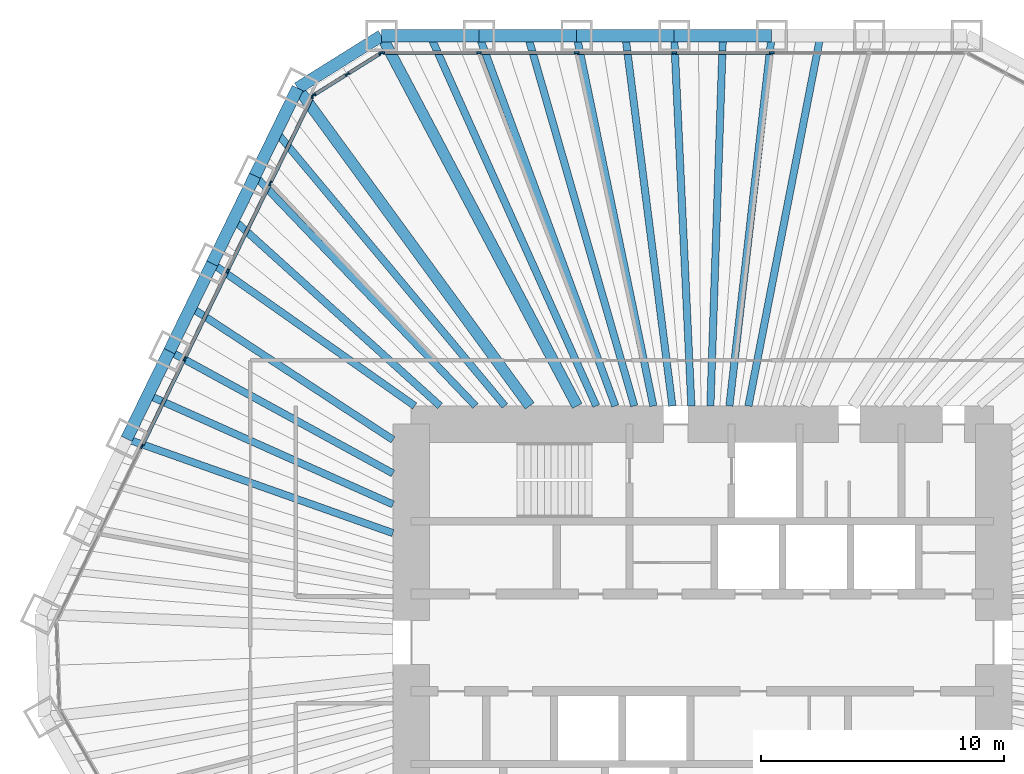
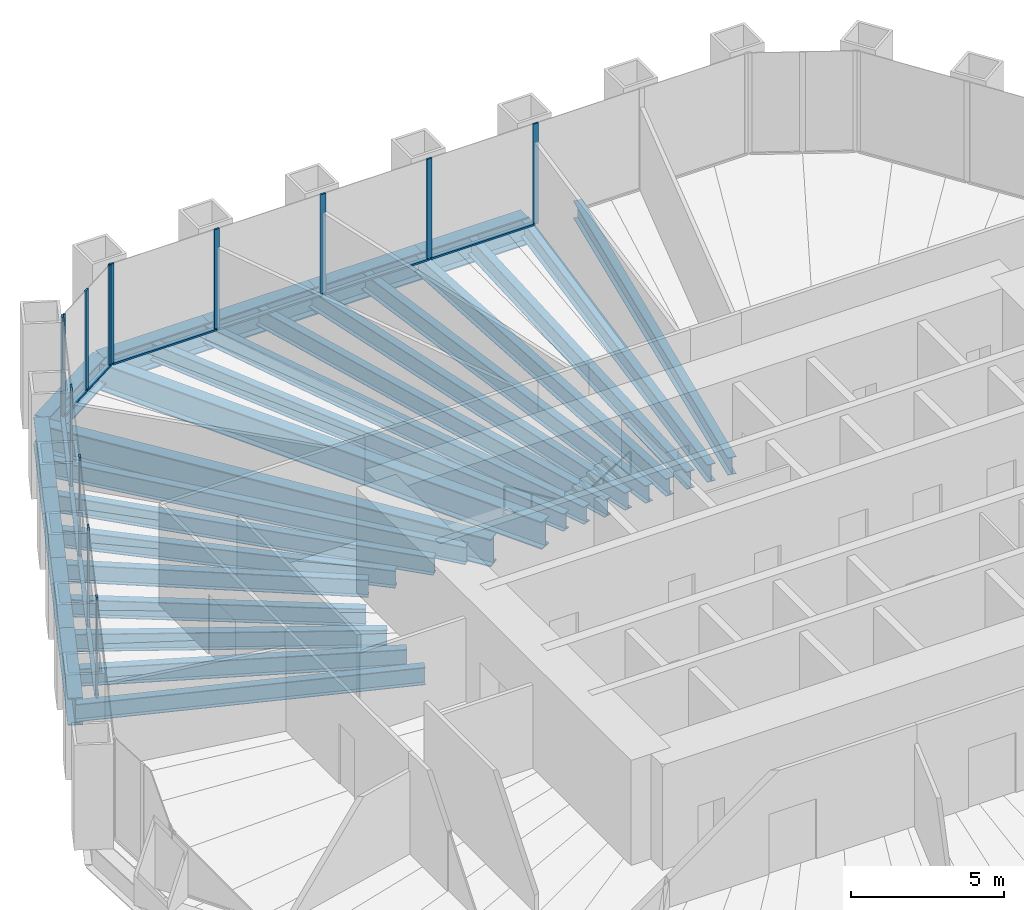
# One storey, part 6 of 13: 28 beams, 23 members, 3 elements without a shape of their own.
"""IFC4 building model written with IfcOpenShell, lengths in metres."""

import ifcopenshell
import ifcopenshell.guid

model = None  # the IFC model being written
_history = None  # IfcOwnerHistory: only IFC2X3 demands one
_inside = {}  # id of a spatial element -> (the spatial element, [elements in it])
_under = {}  # id of a project, library or spatial element -> (it, [spatial elements below it])
_declared = {}  # id of a project -> (the project, [libraries it declares])
_typed = {}  # id of a type object -> (the type object, [elements of that type])
_made_of = {}  # id of a material, layer set ... -> (it, [elements and type objects made of it])


def new_model(schema):
    """Start an empty IFC model of exactly this schema.

    Asked for "IFC4X3", IfcOpenShell would pick the latest addendum, in which some entities
    have other attributes; the version numbers below select the first issue.
    IFC2X3 requires an IfcOwnerHistory on every rooted entity: one is made here for all.
    """
    global model, _history
    if schema == "IFC4X3":
        model = ifcopenshell.file(schema_version=(4, 3, 0, 0))
    else:
        model = ifcopenshell.file(schema=schema)
    _inside.clear()
    _under.clear()
    _declared.clear()
    _typed.clear()
    _made_of.clear()
    _history = None
    if model.schema == "IFC2X3":
        org = make("IfcOrganization", Name="unknown")
        user = make(
            "IfcPersonAndOrganization",
            ThePerson=make("IfcPerson", FamilyName="unknown"),
            TheOrganization=org,
        )
        app = make(
            "IfcApplication",
            ApplicationDeveloper=org,
            Version="unknown",
            ApplicationFullName="unknown",
            ApplicationIdentifier="unknown",
        )
        _history = make(
            "IfcOwnerHistory",
            OwningUser=user,
            OwningApplication=app,
            ChangeAction="ADDED",
            CreationDate=0,
        )
    return model


def make(cls, **values):
    """One entity of the class cls with the attributes given. An attribute that is None is left unset."""
    return model.create_entity(
        cls, **{name: value for name, value in values.items() if value is not None}
    )


def rooted(cls, **values):
    """An entity with a GlobalId (a new one), such as an element, a storey or a relation."""
    return make(cls, GlobalId=ifcopenshell.guid.new(), OwnerHistory=_history, **values)


def si_unit(unit_type, name, prefix=None):
    """IfcSIUnit, for example si_unit("LENGTHUNIT", "METRE", prefix="MILLI")."""
    return make("IfcSIUnit", UnitType=unit_type, Prefix=prefix, Name=name)


def assignment(units):
    """IfcUnitAssignment: the units of a project."""
    return None if units is None else make("IfcUnitAssignment", Units=units)


def point(xyz):
    """IfcCartesianPoint."""
    return None if xyz is None else make("IfcCartesianPoint", Coordinates=xyz)


def direction(xyz):
    """IfcDirection."""
    return None if xyz is None else make("IfcDirection", DirectionRatios=xyz)


def frame(location, z_axis=None, x_axis=None):
    """IfcAxis2Placement3D, a coordinate frame: its origin and axes. An axis left out is left unset."""
    return make(
        "IfcAxis2Placement3D",
        Location=point(location),
        Axis=direction(z_axis),
        RefDirection=direction(x_axis),
    )


def frame_2d(location, x_axis=None):
    """IfcAxis2Placement2D, a coordinate frame in the plane: its origin and x axis."""
    return make(
        "IfcAxis2Placement2D", Location=point(location), RefDirection=direction(x_axis)
    )


def origin():
    """The frame at (0, 0, 0) with its axes left unset."""
    return frame((0.0, 0.0, 0.0))


def origin_2d():
    """The frame at (0, 0) in the plane with its x axis left unset."""
    return frame_2d((0.0, 0.0))


def place(relative_to, where):
    """IfcLocalPlacement: puts the frame where relative to a parent placement (None: the world)."""
    return make(
        "IfcLocalPlacement", PlacementRelTo=relative_to, RelativePlacement=where
    )


def context(
    kind, dimensions, precision=None, world=None, true_north=None, identifier=None
):
    """IfcGeometricRepresentationContext, for example the 3D "Model" context."""
    return make(
        "IfcGeometricRepresentationContext",
        ContextIdentifier=identifier,
        ContextType=kind,
        CoordinateSpaceDimension=dimensions,
        Precision=precision,
        WorldCoordinateSystem=world,
        TrueNorth=true_north,
    )


def subcontext(parent, identifier, kind, view, scale=None):
    """IfcGeometricRepresentationSubContext, for example "Body" below "Model"."""
    return make(
        "IfcGeometricRepresentationSubContext",
        ContextIdentifier=identifier,
        ContextType=kind,
        ParentContext=parent,
        TargetScale=scale,
        TargetView=view,
    )


def project(units=None, contexts=None):
    """IfcProject with its units and contexts."""
    return rooted(
        "IfcProject",
        Name="project",
        RepresentationContexts=contexts,
        UnitsInContext=assignment(units),
    )


def spatial(cls, under=None, at=None, **own):
    """A site, building, storey or space (cls), placed at a placement, below another one or the project."""
    s = rooted(cls, ObjectPlacement=at, **own)
    if under is not None:
        _under.setdefault(under.id(), (under, []))[1].append(s)
    return s


def profile(cls, at=None, kind="AREA", **sizes):
    """A parametric profile (cls). Its sizes go by their IFC names, for example OverallWidth=200.0."""
    return make(cls, ProfileType=kind, Position=at, **sizes)


def rectangle(**sizes):
    """IfcRectangleProfileDef."""
    return profile("IfcRectangleProfileDef", **sizes)


def i_section(**sizes):
    """IfcIShapeProfileDef."""
    return profile("IfcIShapeProfileDef", **sizes)


def extrude(swept, where, along, depth):
    """IfcExtrudedAreaSolid: the profile swept, set in the frame where, extruded along a direction by depth."""
    return make(
        "IfcExtrudedAreaSolid",
        SweptArea=swept,
        Position=where,
        ExtrudedDirection=direction(along),
        Depth=depth,
    )


def shape(context_of_items, identifier, shape_type, items):
    """IfcShapeRepresentation: the items that make up one representation, for example the "Body"."""
    return make(
        "IfcShapeRepresentation",
        ContextOfItems=context_of_items,
        RepresentationIdentifier=identifier,
        RepresentationType=shape_type,
        Items=items,
    )


def material(Name=None, Category=None):
    """IfcMaterial."""
    return make("IfcMaterial", Name=Name, Category=Category)


def material_profile(
    of_material, cross_section, Name=None, Category=None, Priority=None
):
    """IfcMaterialProfile: a cross section and its material."""
    return make(
        "IfcMaterialProfile",
        Name=Name,
        Material=of_material,
        Profile=cross_section,
        Priority=Priority,
        Category=Category,
    )


def profile_set(profiles, Name=None, composite=None):
    """IfcMaterialProfileSet."""
    return make(
        "IfcMaterialProfileSet",
        Name=Name,
        MaterialProfiles=profiles,
        CompositeProfile=composite,
    )


def made_of(thing, what):
    """Note that an element or type object is made of a material, layer set ...; save() writes the relation."""
    if what is not None:
        _made_of.setdefault(what.id(), (what, []))[1].append(thing)
    return thing


def type_object(cls, material=None, **own):
    """A type object (cls), such as IfcWallType, which elements share."""
    return made_of(rooted(cls, **own), material)


def element(
    cls,
    number,
    at=None,
    inside=None,
    cuts=None,
    type_object=None,
    material=None,
    context=None,
    identifier="Body",
    shape_type=None,
    held_by="IfcProductDefinitionShape",
    body=None,
    shapes=None,
    **own,
):
    """One element of the class cls, such as IfcWall. Its Tag is "e" and its number.

    at: its placement. inside: the storey or other place that contains it. cuts: it is an
    opening in that element (IfcRelVoidsElement). A single representation is given by context,
    identifier, shape_type and body (its items); several are given by shapes. held_by: the class
    of the entity that holds the representations. save() writes the other relations.
    """
    e = rooted(cls, Tag="e%d" % number, ObjectPlacement=at, **own)
    if body is not None:
        shapes = [shape(context, identifier, shape_type, body)]
    if shapes is not None:
        e.Representation = make(held_by, Representations=shapes)
    if inside is not None:
        _inside.setdefault(inside.id(), (inside, []))[1].append(e)
    if cuts is not None:
        rooted(
            "IfcRelVoidsElement", RelatingBuildingElement=cuts, RelatedOpeningElement=e
        )
    if type_object is not None:
        _typed.setdefault(type_object.id(), (type_object, []))[1].append(e)
    return made_of(e, material)


def aggregate(whole, parts):
    """IfcRelAggregates: a whole, such as a stair, and the parts it consists of."""
    return rooted("IfcRelAggregates", RelatingObject=whole, RelatedObjects=parts)


def save(model, path):
    """Write the relations noted so far, then the file.

    IfcRelAggregates (storeys below a building ...), IfcRelContainedInSpatialStructure (elements
    in a storey), IfcRelDefinesByType, IfcRelAssociatesMaterial and IfcRelDeclares: one each for
    every whole, place, type object, material and project.
    """
    for whole, parts in _under.values():
        aggregate(whole, parts)
    for where, things in _inside.values():
        rooted(
            "IfcRelContainedInSpatialStructure",
            RelatedElements=things,
            RelatingStructure=where,
        )
    for kind, things in _typed.values():
        rooted("IfcRelDefinesByType", RelatedObjects=things, RelatingType=kind)
    for what, things in _made_of.values():
        rooted("IfcRelAssociatesMaterial", RelatedObjects=things, RelatingMaterial=what)
    for by, libraries in _declared.values():
        rooted("IfcRelDeclares", RelatingContext=by, RelatedDefinitions=libraries)
    model.write(path)


model = new_model("IFC4")

# Units and contexts
model_context = context("Model", 3, precision=1e-05, world=origin(), true_north=direction((0.0, 1.0)))
body_context = subcontext(model_context, "Body", "Model", "MODEL_VIEW")
ifc_project = project(units=[si_unit("LENGTHUNIT", "METRE"), si_unit("AREAUNIT", "SQUARE_METRE"), si_unit("VOLUMEUNIT", "CUBIC_METRE"), si_unit("PLANEANGLEUNIT", "RADIAN"), si_unit("MASSUNIT", "GRAM", prefix="KILO")], contexts=[model_context])

# Site, building, storey
site_placement = place(None, origin())
site = spatial("IfcSite", under=ifc_project, at=site_placement, CompositionType="ELEMENT")
building_placement = place(site_placement, origin())
building = spatial("IfcBuilding", under=site, at=building_placement, Name="Qingtian Harvest Tower", CompositionType="ELEMENT")
storey_placement = place(building_placement, frame((0.0, 0.0, 132.39990234375)))
storey = spatial("IfcBuildingStorey", under=building, at=storey_placement, Name="L27", CompositionType="ELEMENT", Elevation=132.39990234375)

# Beams
ifc_material_1 = material(Name="Steel SM570MC", Category="steel")
ifc_material_profile_1 = material_profile(ifc_material_1, i_section(OverallWidth=0.449951171875, OverallDepth=1.10009765625, WebThickness=0.02197265625, FlangeThickness=0.044921875, at=origin_2d()), Name="H1100x450x22x45")
ifc_profile_set_1 = profile_set([ifc_material_profile_1], Name="Steel SM570MC")
beam_type_1 = type_object("IfcBeamType", Name="Corner floor beam FB8 H1100x450x22x45", PredefinedType="BEAM", material=ifc_profile_set_1)
beam_1_placement = place(storey_placement, frame((-13.2216796875, 25.0, -0.719970703125), z_axis=(0.46750989692, -0.88398783718, 0.0), x_axis=(0.88398783718, 0.46750989692, 0.0)))
element("IfcBeam", 1, at=beam_1_placement, inside=storey, type_object=beam_type_1, Name="Floor beam FB8 N0", PredefinedType="BEAM", context=body_context, shape_type="SweptSolid", body=[
    extrude(i_section(OverallWidth=0.449951171875, OverallDepth=1.10009765625, WebThickness=0.02197265625, FlangeThickness=0.044921875, at=origin_2d()), origin(), (0.0, 0.0, 1.0), 17.25146484375),
])
beam_2_placement = place(storey_placement, frame((-16.673828125, 22.8427734375, -0.719970703125), z_axis=(0.589577703364, -0.807711663712, 0.0), x_axis=(0.807711663712, 0.589577703364, 0.0)))
element("IfcBeam", 2, at=beam_2_placement, inside=storey, type_object=beam_type_1, Name="Floor beam FB8 NW6", PredefinedType="BEAM", context=body_context, shape_type="SweptSolid", body=[
    extrude(i_section(OverallWidth=0.449951171875, OverallDepth=1.10009765625, WebThickness=0.02197265625, FlangeThickness=0.044921875, at=origin_2d()), origin(), (0.0, 0.0, 1.0), 16.209716796875),
])
ifc_material_2 = material(Name="Steel SN490B", Category="steel")
ifc_material_profile_2 = material_profile(ifc_material_2, i_section(OverallWidth=0.300048828125, OverallDepth=0.699951171875, WebThickness=0.012939453125, FlangeThickness=0.02392578125, at=origin_2d()), Name="H700x300x13x24")
ifc_profile_set_2 = profile_set([ifc_material_profile_2], Name="Steel SN490B")
beam_type_2 = type_object("IfcBeamType", Name="Floor beam FB2 H700x300x13x24", PredefinedType="BEAM", material=ifc_profile_set_2)
beam_3_placement = place(storey_placement, frame((-9.20263671875, 25.0, -0.52001953125), z_axis=(0.345440084985, -0.938440806703, 0.0), x_axis=(0.938440806703, 0.345440084985, 0.0)))
element("IfcBeam", 3, at=beam_3_placement, inside=storey, type_object=beam_type_2, Name="Floor beam FB2 N1", PredefinedType="BEAM", context=body_context, shape_type="SweptSolid", body=[
    extrude(i_section(OverallWidth=0.300048828125, OverallDepth=0.699951171875, WebThickness=0.012939453125, FlangeThickness=0.02392578125, at=origin_2d()), origin(), (0.0, 0.0, 1.0), 16.250244140625),
])
beam_4_placement = place(storey_placement, frame((-5.18359375, 25.0, -0.52001953125), z_axis=(0.203032709566, -0.979171955709, 0.0), x_axis=(0.979171955709, 0.203032709566, 0.0)))
element("IfcBeam", 4, at=beam_4_placement, inside=storey, type_object=beam_type_2, Name="Floor beam FB2 N2", PredefinedType="BEAM", context=body_context, shape_type="SweptSolid", body=[
    extrude(i_section(OverallWidth=0.300048828125, OverallDepth=0.699951171875, WebThickness=0.012939453125, FlangeThickness=0.02392578125, at=origin_2d()), origin(), (0.0, 0.0, 1.0), 15.574462890625),
])
beam_5_placement = place(storey_placement, frame((-1.16455078125, 25.0, -0.52001953125), z_axis=(0.046536361684, -0.998916596639, 0.0), x_axis=(0.998916596639, 0.046536361684, 0.0)))
element("IfcBeam", 5, at=beam_5_placement, inside=storey, type_object=beam_type_2, Name="Floor beam FB2 N3", PredefinedType="BEAM", context=body_context, shape_type="SweptSolid", body=[
    extrude(i_section(OverallWidth=0.300048828125, OverallDepth=0.699951171875, WebThickness=0.012939453125, FlangeThickness=0.02392578125, at=origin_2d()), origin(), (0.0, 0.0, 1.0), 15.2666015625),
])
beam_6_placement = place(storey_placement, frame((2.8544921875, 25.0, -0.52001953125), z_axis=(-0.113440722222, -0.993544766249, 0.0), x_axis=(0.993544766249, -0.113440722222, 0.0)))
element("IfcBeam", 6, at=beam_6_placement, inside=storey, type_object=beam_type_2, Name="Floor beam FB2 N4", PredefinedType="BEAM", context=body_context, shape_type="SweptSolid", body=[
    extrude(i_section(OverallWidth=0.300048828125, OverallDepth=0.699951171875, WebThickness=0.012939453125, FlangeThickness=0.02392578125, at=origin_2d()), origin(), (0.0, 0.0, 1.0), 15.34912109375),
])
beam_7_placement = place(storey_placement, frame((-23.72119140625, 8.3935546875, -0.52001953125), z_axis=(0.942723186419, -0.333576068967, 0.0), x_axis=(0.333576068967, 0.942723186419, 0.0)))
element("IfcBeam", 7, at=beam_7_placement, inside=storey, type_object=beam_type_2, Name="Floor beam FB2 NW2", PredefinedType="BEAM", context=body_context, shape_type="SweptSolid", body=[
    extrude(i_section(OverallWidth=0.300048828125, OverallDepth=0.699951171875, WebThickness=0.012939453125, FlangeThickness=0.02392578125, at=origin_2d()), origin(), (0.0, 0.0, 1.0), 11.6376953125),
])
beam_8_placement = place(storey_placement, frame((-21.95947265625, 12.005859375, -0.52001953125), z_axis=(0.877432026785, -0.479700988505, 0.0), x_axis=(0.479700988505, 0.877432026785, 0.0)))
element("IfcBeam", 8, at=beam_8_placement, inside=storey, type_object=beam_type_2, Name="Floor beam FB2 NW3", PredefinedType="BEAM", context=body_context, shape_type="SweptSolid", body=[
    extrude(i_section(OverallWidth=0.300048828125, OverallDepth=0.699951171875, WebThickness=0.012939453125, FlangeThickness=0.02392578125, at=origin_2d()), origin(), (0.0, 0.0, 1.0), 10.495849609375),
])
beam_9_placement = place(storey_placement, frame((-20.197509765625, 15.6181640625, -0.52001953125), z_axis=(0.818080343043, -0.57510394915, 0.0), x_axis=(0.57510394915, 0.818080343043, 0.0)))
element("IfcBeam", 9, at=beam_9_placement, inside=storey, type_object=beam_type_2, Name="Floor beam FB2 NW4", PredefinedType="BEAM", context=body_context, shape_type="SweptSolid", body=[
    extrude(i_section(OverallWidth=0.300048828125, OverallDepth=0.699951171875, WebThickness=0.012939453125, FlangeThickness=0.02392578125, at=origin_2d()), origin(), (0.0, 0.0, 1.0), 10.20361328125),
])
beam_10_placement = place(storey_placement, frame((-18.435791015625, 19.23046875, -0.52001953125), z_axis=(0.69204101057, -0.721858185303, 0.0), x_axis=(0.721858185303, 0.69204101057, 0.0)))
element("IfcBeam", 10, at=beam_10_placement, inside=storey, type_object=beam_type_2, Name="Floor beam FB2 NW5", PredefinedType="BEAM", context=body_context, shape_type="SweptSolid", body=[
    extrude(i_section(OverallWidth=0.300048828125, OverallDepth=0.699951171875, WebThickness=0.012939453125, FlangeThickness=0.02392578125, at=origin_2d()), origin(), (0.0, 0.0, 1.0), 13.13330078125),
])
ifc_material_3 = material(Name="Steel SN490B", Category="steel")
ifc_material_profile_3 = material_profile(ifc_material_3, i_section(OverallWidth=0.300048828125, OverallDepth=0.699951171875, WebThickness=0.012939453125, FlangeThickness=0.02392578125, at=origin_2d()), Name="H700x300x13x24")
ifc_profile_set_3 = profile_set([ifc_material_profile_3], Name="Steel SN490B")
beam_type_3 = type_object("IfcBeamType", Name="Floor joist J2 H700x300x13x24", PredefinedType="JOIST", material=ifc_profile_set_3)
beam_11_placement = place(storey_placement, frame((-11.212158203125, 25.0, -0.52001953125), z_axis=(0.409212761683, -0.912438992852, 0.0), x_axis=(0.912438992852, 0.409212761683, 0.0)))
element("IfcBeam", 11, at=beam_11_placement, inside=storey, type_object=beam_type_3, Name="Floor joist J2 N0", PredefinedType="JOIST", context=body_context, shape_type="SweptSolid", body=[
    extrude(i_section(OverallWidth=0.300048828125, OverallDepth=0.699951171875, WebThickness=0.012939453125, FlangeThickness=0.02392578125, at=origin_2d()), origin(), (0.0, 0.0, 1.0), 16.71337890625),
])
beam_12_placement = place(storey_placement, frame((-7.193115234375, 25.0, -0.52001953125), z_axis=(0.276500682027, -0.961013721462, 0.0), x_axis=(0.961013721462, 0.276500682027, 0.0)))
element("IfcBeam", 12, at=beam_12_placement, inside=storey, type_object=beam_type_3, Name="Floor joist J2 N1", PredefinedType="JOIST", context=body_context, shape_type="SweptSolid", body=[
    extrude(i_section(OverallWidth=0.300048828125, OverallDepth=0.699951171875, WebThickness=0.012939453125, FlangeThickness=0.02392578125, at=origin_2d()), origin(), (0.0, 0.0, 1.0), 15.86865234375),
])
beam_13_placement = place(storey_placement, frame((-3.174072265625, 25.0, -0.52001953125), z_axis=(0.125957899702, -0.992035587821, 0.0), x_axis=(0.992035587821, 0.125957899702, 0.0)))
element("IfcBeam", 13, at=beam_13_placement, inside=storey, type_object=beam_type_3, Name="Floor joist J2 N2", PredefinedType="JOIST", context=body_context, shape_type="SweptSolid", body=[
    extrude(i_section(OverallWidth=0.300048828125, OverallDepth=0.699951171875, WebThickness=0.012939453125, FlangeThickness=0.02392578125, at=origin_2d()), origin(), (0.0, 0.0, 1.0), 15.372314453125),
])
beam_14_placement = place(storey_placement, frame((0.844970703125, 25.0, -0.52001953125), z_axis=(-0.033776183237, -0.999429421943, 0.0), x_axis=(0.999429421943, -0.033776183237, 0.0)))
element("IfcBeam", 14, at=beam_14_placement, inside=storey, type_object=beam_type_3, Name="Floor joist J2 N3", PredefinedType="JOIST", context=body_context, shape_type="SweptSolid", body=[
    extrude(i_section(OverallWidth=0.300048828125, OverallDepth=0.699951171875, WebThickness=0.012939453125, FlangeThickness=0.02392578125, at=origin_2d()), origin(), (0.0, 0.0, 1.0), 15.2587890625),
])
beam_15_placement = place(storey_placement, frame((4.864013671875, 25.0, -0.52001953125), z_axis=(-0.190979017217, -0.981594119269, 0.0), x_axis=(0.981594119269, -0.190979017217, 0.0)))
element("IfcBeam", 15, at=beam_15_placement, inside=storey, type_object=beam_type_3, Name="Floor joist J2 N4", PredefinedType="JOIST", context=body_context, shape_type="SweptSolid", body=[
    extrude(i_section(OverallWidth=0.300048828125, OverallDepth=0.699951171875, WebThickness=0.012939453125, FlangeThickness=0.02392578125, at=origin_2d()), origin(), (0.0, 0.0, 1.0), 15.535888671875),
])
beam_16_placement = place(storey_placement, frame((-22.84033203125, 10.19970703125, -0.52001953125), z_axis=(0.913095877166, -0.407744919162, 0.0), x_axis=(0.407744919162, 0.913095877166, 0.0)))
element("IfcBeam", 16, at=beam_16_placement, inside=storey, type_object=beam_type_3, Name="Floor joist J2 NW2", PredefinedType="JOIST", context=body_context, shape_type="SweptSolid", body=[
    extrude(i_section(OverallWidth=0.300048828125, OverallDepth=0.699951171875, WebThickness=0.012939453125, FlangeThickness=0.02392578125, at=origin_2d()), origin(), (0.0, 0.0, 1.0), 11.05078125),
])
beam_17_placement = place(storey_placement, frame((-21.078369140625, 13.81201171875, -0.52001953125), z_axis=(0.836426246046, -0.548079496903, 0.0), x_axis=(0.548079496903, 0.836426246046, 0.0)))
element("IfcBeam", 17, at=beam_17_placement, inside=storey, type_object=beam_type_3, Name="Floor joist J2 NW3", PredefinedType="JOIST", context=body_context, shape_type="SweptSolid", body=[
    extrude(i_section(OverallWidth=0.300048828125, OverallDepth=0.699951171875, WebThickness=0.012939453125, FlangeThickness=0.02392578125, at=origin_2d()), origin(), (0.0, 0.0, 1.0), 9.95703125),
])
beam_18_placement = place(storey_placement, frame((-19.316650390625, 17.42431640625, -0.52001953125), z_axis=(0.742543540775, -0.669797797886, 0.0), x_axis=(0.669797797886, 0.742543540775, 0.0)))
element("IfcBeam", 18, at=beam_18_placement, inside=storey, type_object=beam_type_3, Name="Floor joist J2 NW4", PredefinedType="JOIST", context=body_context, shape_type="SweptSolid", body=[
    extrude(i_section(OverallWidth=0.300048828125, OverallDepth=0.699951171875, WebThickness=0.012939453125, FlangeThickness=0.02392578125, at=origin_2d()), origin(), (0.0, 0.0, 1.0), 11.457763671875),
])
beam_19_placement = place(storey_placement, frame((-17.5546875, 21.03662109375, -0.52001953125), z_axis=(0.640703730007, -0.767788206704, 0.0), x_axis=(0.767788206704, 0.640703730007, 0.0)))
element("IfcBeam", 19, at=beam_19_placement, inside=storey, type_object=beam_type_3, Name="Floor joist J2 NW5", PredefinedType="JOIST", context=body_context, shape_type="SweptSolid", body=[
    extrude(i_section(OverallWidth=0.300048828125, OverallDepth=0.699951171875, WebThickness=0.012939453125, FlangeThickness=0.02392578125, at=origin_2d()), origin(), (0.0, 0.0, 1.0), 14.7001953125),
])

# Curtain wall, members
ifc_material_4 = material(Name="Bronze-anodised aluminium curtain wall", Category="aluminium")
curtain_wall_type = type_object("IfcCurtainWallType", Name="Curtain wall CW4 office", PredefinedType="USERDEFINED", material=ifc_material_4)
curtain_wall_1_placement = place(storey_placement, origin())
curtain_wall_1 = element("IfcCurtainWall", 20, at=curtain_wall_1_placement, inside=storey, type_object=curtain_wall_type, Name="Curtain wall CW4 L27 N0-5", ObjectType="RECESSED CURTAIN WALL", PredefinedType="USERDEFINED")
ifc_material_5 = material(Name="Bronze-anodised aluminium mullion", Category="aluminium")
ifc_material_profile_4 = material_profile(ifc_material_5, rectangle(XDim=0.06494140625, YDim=0.199951171875, at=origin_2d()), Name="AL 65x200")
ifc_profile_set_4 = profile_set([ifc_material_profile_4], Name="Bronze-anodised aluminium mullion")
member_type_1 = type_object("IfcMemberType", Name="Mullion CWM 65x200", PredefinedType="MULLION", material=ifc_profile_set_4)
member_1_placement = place(storey_placement, frame((-13.189208984375, 24.300048828125, 0.0), z_axis=(0.0, 0.0, 1.0), x_axis=(0.0, 1.0, 0.0)))
member_1 = element("IfcMember", 21, at=member_1_placement, type_object=member_type_1, Name="CW4 mullion 1", PredefinedType="MULLION", context=body_context, shape_type="SweptSolid", body=[
    extrude(rectangle(XDim=0.06494140625, YDim=0.199951171875, at=origin_2d()), origin(), (0.0, 0.0, 1.0), 4.030029296875),
])
member_2_placement = place(storey_placement, frame((-9.20263671875, 24.300048828125, 0.0), z_axis=(0.0, 0.0, 1.0), x_axis=(0.0, 1.0, 0.0)))
member_2 = element("IfcMember", 22, at=member_2_placement, type_object=member_type_1, Name="CW4 mullion 2", PredefinedType="MULLION", context=body_context, shape_type="SweptSolid", body=[
    extrude(rectangle(XDim=0.06494140625, YDim=0.199951171875, at=origin_2d()), origin(), (0.0, 0.0, 1.0), 4.030029296875),
])
member_3_placement = place(storey_placement, frame((-5.18359375, 24.300048828125, 0.0), z_axis=(0.0, 0.0, 1.0), x_axis=(0.0, 1.0, 0.0)))
member_3 = element("IfcMember", 23, at=member_3_placement, type_object=member_type_1, Name="CW4 mullion 3", PredefinedType="MULLION", context=body_context, shape_type="SweptSolid", body=[
    extrude(rectangle(XDim=0.06494140625, YDim=0.199951171875, at=origin_2d()), origin(), (0.0, 0.0, 1.0), 4.030029296875),
])
member_4_placement = place(storey_placement, frame((-1.16455078125, 24.300048828125, 0.0), z_axis=(0.0, 0.0, 1.0), x_axis=(0.0, 1.0, 0.0)))
member_4 = element("IfcMember", 24, at=member_4_placement, type_object=member_type_1, Name="CW4 mullion 4", PredefinedType="MULLION", context=body_context, shape_type="SweptSolid", body=[
    extrude(rectangle(XDim=0.06494140625, YDim=0.199951171875, at=origin_2d()), origin(), (0.0, 0.0, 1.0), 4.030029296875),
])
member_5_placement = place(storey_placement, frame((2.8544921875, 24.300048828125, 0.0), z_axis=(0.0, 0.0, 1.0), x_axis=(0.0, 1.0, 0.0)))
member_5 = element("IfcMember", 25, at=member_5_placement, type_object=member_type_1, Name="CW4 mullion 5", PredefinedType="MULLION", context=body_context, shape_type="SweptSolid", body=[
    extrude(rectangle(XDim=0.06494140625, YDim=0.199951171875, at=origin_2d()), origin(), (0.0, 0.0, 1.0), 4.030029296875),
])

curtain_wall_2_placement = place(storey_placement, origin())
curtain_wall_2 = element("IfcCurtainWall", 26, at=curtain_wall_2_placement, inside=storey, type_object=curtain_wall_type, Name="Curtain wall CW4 L27 NW0-5", ObjectType="RECESSED CURTAIN WALL", PredefinedType="USERDEFINED")
member_6_placement = place(storey_placement, frame((-23.092041015625, 8.086669921875, 0.0), z_axis=(0.0, 0.0, 1.0), x_axis=(-0.898794046299, 0.438371146789, 0.0)))
member_6 = element("IfcMember", 27, at=member_6_placement, type_object=member_type_1, Name="CW4 mullion 3", PredefinedType="MULLION", context=body_context, shape_type="SweptSolid", body=[
    extrude(rectangle(XDim=0.06494140625, YDim=0.199951171875, at=origin_2d()), origin(), (0.0, 0.0, 1.0), 4.030029296875),
])
member_7_placement = place(storey_placement, frame((-21.330322265625, 11.698974609375, 0.0), z_axis=(0.0, 0.0, 1.0), x_axis=(-0.898794046299, 0.438371146789, 0.0)))
member_7 = element("IfcMember", 28, at=member_7_placement, type_object=member_type_1, Name="CW4 mullion 4", PredefinedType="MULLION", context=body_context, shape_type="SweptSolid", body=[
    extrude(rectangle(XDim=0.06494140625, YDim=0.199951171875, at=origin_2d()), origin(), (0.0, 0.0, 1.0), 4.030029296875),
])
member_8_placement = place(storey_placement, frame((-19.568359375, 15.311279296875, 0.0), z_axis=(0.0, 0.0, 1.0), x_axis=(-0.898794046299, 0.438371146789, 0.0)))
member_8 = element("IfcMember", 29, at=member_8_placement, type_object=member_type_1, Name="CW4 mullion 5", PredefinedType="MULLION", context=body_context, shape_type="SweptSolid", body=[
    extrude(rectangle(XDim=0.06494140625, YDim=0.199951171875, at=origin_2d()), origin(), (0.0, 0.0, 1.0), 4.030029296875),
])
member_9_placement = place(storey_placement, frame((-17.806396484375, 18.923828125, 0.0), z_axis=(0.0, 0.0, 1.0), x_axis=(-0.898794046299, 0.438371146789, 0.0)))
member_9 = element("IfcMember", 30, at=member_9_placement, type_object=member_type_1, Name="CW4 mullion 6", PredefinedType="MULLION", context=body_context, shape_type="SweptSolid", body=[
    extrude(rectangle(XDim=0.06494140625, YDim=0.199951171875, at=origin_2d()), origin(), (0.0, 0.0, 1.0), 4.030029296875),
])
member_10_placement = place(storey_placement, frame((-16.058837890625, 22.5068359375, 0.0), z_axis=(0.0, 0.0, 1.0), x_axis=(-0.898794046299, 0.438371146789, 0.0)))
member_10 = element("IfcMember", 31, at=member_10_placement, type_object=member_type_1, Name="CW4 mullion 7", PredefinedType="MULLION", context=body_context, shape_type="SweptSolid", body=[
    extrude(rectangle(XDim=0.06494140625, YDim=0.199951171875, at=origin_2d()), origin(), (0.0, 0.0, 1.0), 4.030029296875),
])

curtain_wall_3_placement = place(storey_placement, origin())
curtain_wall_3 = element("IfcCurtainWall", 32, at=curtain_wall_3_placement, inside=storey, type_object=curtain_wall_type, Name="Curtain wall CW4 L27 NWC", ObjectType="RECESSED CURTAIN WALL", PredefinedType="USERDEFINED")
member_11_placement = place(storey_placement, frame((-16.01708984375, 22.55322265625, 0.0), z_axis=(0.0, 0.0, 1.0), x_axis=(-0.529919264233, 0.848048096156, 0.0)))
member_11 = element("IfcMember", 33, at=member_11_placement, type_object=member_type_1, Name="CW4 mullion 1", PredefinedType="MULLION", context=body_context, shape_type="SweptSolid", body=[
    extrude(rectangle(XDim=0.06494140625, YDim=0.199951171875, at=origin_2d()), origin(), (0.0, 0.0, 1.0), 4.030029296875),
])
member_12_placement = place(storey_placement, frame((-14.63330078125, 23.41796875, 0.0), z_axis=(0.0, 0.0, 1.0), x_axis=(-0.529919264233, 0.848048096156, 0.0)))
member_12 = element("IfcMember", 34, at=member_12_placement, type_object=member_type_1, Name="CW4 mullion 2", PredefinedType="MULLION", context=body_context, shape_type="SweptSolid", body=[
    extrude(rectangle(XDim=0.06494140625, YDim=0.199951171875, at=origin_2d()), origin(), (0.0, 0.0, 1.0), 4.030029296875),
])
member_13_placement = place(storey_placement, frame((-13.249267578125, 24.28271484375, 0.0), z_axis=(0.0, 0.0, 1.0), x_axis=(-0.529919264233, 0.848048096156, 0.0)))
member_13 = element("IfcMember", 35, at=member_13_placement, type_object=member_type_1, Name="CW4 mullion 3", PredefinedType="MULLION", context=body_context, shape_type="SweptSolid", body=[
    extrude(rectangle(XDim=0.06494140625, YDim=0.199951171875, at=origin_2d()), origin(), (0.0, 0.0, 1.0), 4.030029296875),
])

# Beams
ifc_material_6 = material(Name="Steel SM570MC", Category="steel")
ifc_material_profile_5 = material_profile(ifc_material_6, i_section(OverallWidth=0.5, OverallDepth=1.10009765625, WebThickness=0.02490234375, FlangeThickness=0.050048828125, at=origin_2d()), Name="H1100x500x25x50")
ifc_profile_set_5 = profile_set([ifc_material_profile_5], Name="Steel SM570MC")
beam_type_4 = type_object("IfcBeamType", Name="Spandrel beam SB2 H1100x500x25x50", PredefinedType="SPANDREL", material=ifc_profile_set_5)
for number, where, z_axis, x_axis, name in (
    (36, (-13.2216796875, 25.0, -0.5498046875), (1.0, 0.0, 0.0), (0.0, 1.0, 0.0), "Spandrel SB2 N0"),
    (37, (-9.20263671875, 25.0, -0.5498046875), (1.0, 0.0, 0.0), (0.0, 1.0, 0.0), "Spandrel SB2 N1"),
    (38, (-5.18359375, 25.0, -0.5498046875), (1.0, 0.0, 0.0), (0.0, 1.0, 0.0), "Spandrel SB2 N2"),
    (39, (-1.16455078125, 25.0, -0.5498046875), (1.0, 0.0, 0.0), (0.0, 1.0, 0.0), "Spandrel SB2 N3"),
    (40, (-23.72119140625, 8.3935546875, -0.5498046875), (0.438347033158, 0.898805806902, 0.0), (-0.898805806902, 0.438347033158, 0.0), "Spandrel SB2 NW2"),
    (41, (-21.95947265625, 12.005859375, -0.5498046875), (0.438396105405, 0.89878187274, 0.0), (-0.89878187274, 0.438396105405, 0.0), "Spandrel SB2 NW3"),
    (42, (-20.197509765625, 15.6181640625, -0.5498046875), (0.438347033158, 0.898805806902, 0.0), (-0.898805806902, 0.438347033158, 0.0), "Spandrel SB2 NW4"),
    (43, (-18.435791015625, 19.23046875, -0.5498046875), (0.438396105405, 0.89878187274, 0.0), (-0.89878187274, 0.438396105405, 0.0), "Spandrel SB2 NW5"),
):
    element("IfcBeam", number, at=place(storey_placement, frame(where, z_axis=z_axis, x_axis=x_axis)), inside=storey, type_object=beam_type_4, Name=name, PredefinedType="SPANDREL", context=body_context, shape_type="SweptSolid", body=[
        extrude(i_section(OverallWidth=0.5, OverallDepth=1.10009765625, WebThickness=0.02490234375, FlangeThickness=0.050048828125, at=origin_2d()), origin(), (0.0, 0.0, 1.0), 4.01904296875),
    ])
beam_20_placement = place(storey_placement, frame((-16.673828125, 22.8427734375, -0.5498046875), z_axis=(0.848038733752, 0.529934246919, 0.0), x_axis=(-0.529934246919, 0.848038733752, 0.0)))
element("IfcBeam", 44, at=beam_20_placement, inside=storey, type_object=beam_type_4, Name="Spandrel SB2 NWC", PredefinedType="SPANDREL", context=body_context, shape_type="SweptSolid", body=[
    extrude(i_section(OverallWidth=0.5, OverallDepth=1.10009765625, WebThickness=0.02490234375, FlangeThickness=0.050048828125, at=origin_2d()), origin(), (0.0, 0.0, 1.0), 4.07080078125),
])

# Member
ifc_material_7 = material(Name="Bronze-anodised aluminium transom", Category="aluminium")
ifc_material_profile_6 = material_profile(ifc_material_7, rectangle(XDim=0.14990234375, YDim=0.06494140625, at=origin_2d()), Name="AL 65x150")
ifc_profile_set_6 = profile_set([ifc_material_profile_6], Name="Bronze-anodised aluminium transom")
member_type_2 = type_object("IfcMemberType", Name="Transom CWT 65x150", PredefinedType="USERDEFINED", material=ifc_profile_set_6)
member_14_placement = place(storey_placement, frame((-13.15673828125, 24.300048828125, 0.03271484375), z_axis=(1.0, 0.0, 0.0), x_axis=(0.0, 1.0, 0.0)))
member_14 = element("IfcMember", 45, at=member_14_placement, type_object=member_type_2, Name="CW4 transom 1.1", ObjectType="TRANSOM", PredefinedType="USERDEFINED", context=body_context, shape_type="SweptSolid", body=[
    extrude(rectangle(XDim=0.14990234375, YDim=0.06494140625, at=origin_2d()), origin(), (0.0, 0.0, 1.0), 3.921630859375),
])

member_15_placement = place(storey_placement, frame((-9.170166015625, 24.300048828125, 0.03271484375), z_axis=(1.0, 0.0, 0.0), x_axis=(0.0, 1.0, 0.0)))
member_15 = element("IfcMember", 46, at=member_15_placement, type_object=member_type_2, Name="CW4 transom 2.1", ObjectType="TRANSOM", PredefinedType="USERDEFINED", context=body_context, shape_type="SweptSolid", body=[
    extrude(rectangle(XDim=0.14990234375, YDim=0.06494140625, at=origin_2d()), origin(), (0.0, 0.0, 1.0), 3.9541015625),
])

member_16_placement = place(storey_placement, frame((-5.151123046875, 24.300048828125, 0.03271484375), z_axis=(1.0, 0.0, 0.0), x_axis=(0.0, 1.0, 0.0)))
member_16 = element("IfcMember", 47, at=member_16_placement, type_object=member_type_2, Name="CW4 transom 3.1", ObjectType="TRANSOM", PredefinedType="USERDEFINED", context=body_context, shape_type="SweptSolid", body=[
    extrude(rectangle(XDim=0.14990234375, YDim=0.06494140625, at=origin_2d()), origin(), (0.0, 0.0, 1.0), 3.9541015625),
])

member_17_placement = place(storey_placement, frame((-1.132080078125, 24.300048828125, 0.03271484375), z_axis=(1.0, 0.0, 0.0), x_axis=(0.0, 1.0, 0.0)))
member_17 = element("IfcMember", 48, at=member_17_placement, type_object=member_type_2, Name="CW4 transom 4.1", ObjectType="TRANSOM", PredefinedType="USERDEFINED", context=body_context, shape_type="SweptSolid", body=[
    extrude(rectangle(XDim=0.14990234375, YDim=0.06494140625, at=origin_2d()), origin(), (0.0, 0.0, 1.0), 3.9541015625),
])

aggregate(curtain_wall_1, [member_1, member_2, member_3, member_4, member_5, member_14, member_15, member_16, member_17])

member_18_placement = place(storey_placement, frame((-23.077880859375, 8.115966796875, 0.03271484375), z_axis=(0.438374972828, 0.898792180205, 0.0), x_axis=(-0.898792180205, 0.438374972828, 0.0)))
member_18 = element("IfcMember", 49, at=member_18_placement, type_object=member_type_2, Name="CW4 transom 3.1", ObjectType="TRANSOM", PredefinedType="USERDEFINED", context=body_context, shape_type="SweptSolid", body=[
    extrude(rectangle(XDim=0.14990234375, YDim=0.06494140625, at=origin_2d()), origin(), (0.0, 0.0, 1.0), 3.9541015625),
])

member_19_placement = place(storey_placement, frame((-21.31591796875, 11.728271484375, 0.03271484375), z_axis=(0.438374972828, 0.898792180205, 0.0), x_axis=(-0.898792180205, 0.438374972828, 0.0)))
member_19 = element("IfcMember", 50, at=member_19_placement, type_object=member_type_2, Name="CW4 transom 4.1", ObjectType="TRANSOM", PredefinedType="USERDEFINED", context=body_context, shape_type="SweptSolid", body=[
    extrude(rectangle(XDim=0.14990234375, YDim=0.06494140625, at=origin_2d()), origin(), (0.0, 0.0, 1.0), 3.9541015625),
])

member_20_placement = place(storey_placement, frame((-19.55419921875, 15.340576171875, 0.03271484375), z_axis=(0.438374972828, 0.898792180205, 0.0), x_axis=(-0.898792180205, 0.438374972828, 0.0)))
member_20 = element("IfcMember", 51, at=member_20_placement, type_object=member_type_2, Name="CW4 transom 5.1", ObjectType="TRANSOM", PredefinedType="USERDEFINED", context=body_context, shape_type="SweptSolid", body=[
    extrude(rectangle(XDim=0.14990234375, YDim=0.06494140625, at=origin_2d()), origin(), (0.0, 0.0, 1.0), 3.9541015625),
])

member_21_placement = place(storey_placement, frame((-17.792236328125, 18.952880859375, 0.03271484375), z_axis=(0.438351261745, 0.898803744611, 0.0), x_axis=(-0.898803744611, 0.438351261745, 0.0)))
member_21 = element("IfcMember", 52, at=member_21_placement, type_object=member_type_2, Name="CW4 transom 6.1", ObjectType="TRANSOM", PredefinedType="USERDEFINED", context=body_context, shape_type="SweptSolid", body=[
    extrude(rectangle(XDim=0.14990234375, YDim=0.06494140625, at=origin_2d()), origin(), (0.0, 0.0, 1.0), 3.92138671875),
])

aggregate(curtain_wall_2, [member_6, member_7, member_8, member_9, member_10, member_18, member_19, member_20, member_21])

member_22_placement = place(storey_placement, frame((-15.989501953125, 22.570556640625, 0.03271484375), z_axis=(0.848059570903, 0.529900900357, 0.0), x_axis=(-0.529900900357, 0.848059570903, 0.0)))
member_22 = element("IfcMember", 53, at=member_22_placement, type_object=member_type_2, Name="CW4 transom 1.1", ObjectType="TRANSOM", PredefinedType="USERDEFINED", context=body_context, shape_type="SweptSolid", body=[
    extrude(rectangle(XDim=0.14990234375, YDim=0.06494140625, at=origin_2d()), origin(), (0.0, 0.0, 1.0), 1.56689453125),
])

member_23_placement = place(storey_placement, frame((-14.605712890625, 23.435302734375, 0.03271484375), z_axis=(0.848059570903, 0.529900900357, 0.0), x_axis=(-0.529900900357, 0.848059570903, 0.0)))
member_23 = element("IfcMember", 54, at=member_23_placement, type_object=member_type_2, Name="CW4 transom 2.1", ObjectType="TRANSOM", PredefinedType="USERDEFINED", context=body_context, shape_type="SweptSolid", body=[
    extrude(rectangle(XDim=0.14990234375, YDim=0.06494140625, at=origin_2d()), origin(), (0.0, 0.0, 1.0), 1.56689453125),
])

aggregate(curtain_wall_3, [member_11, member_12, member_13, member_22, member_23])

save(model, "model.ifc")
